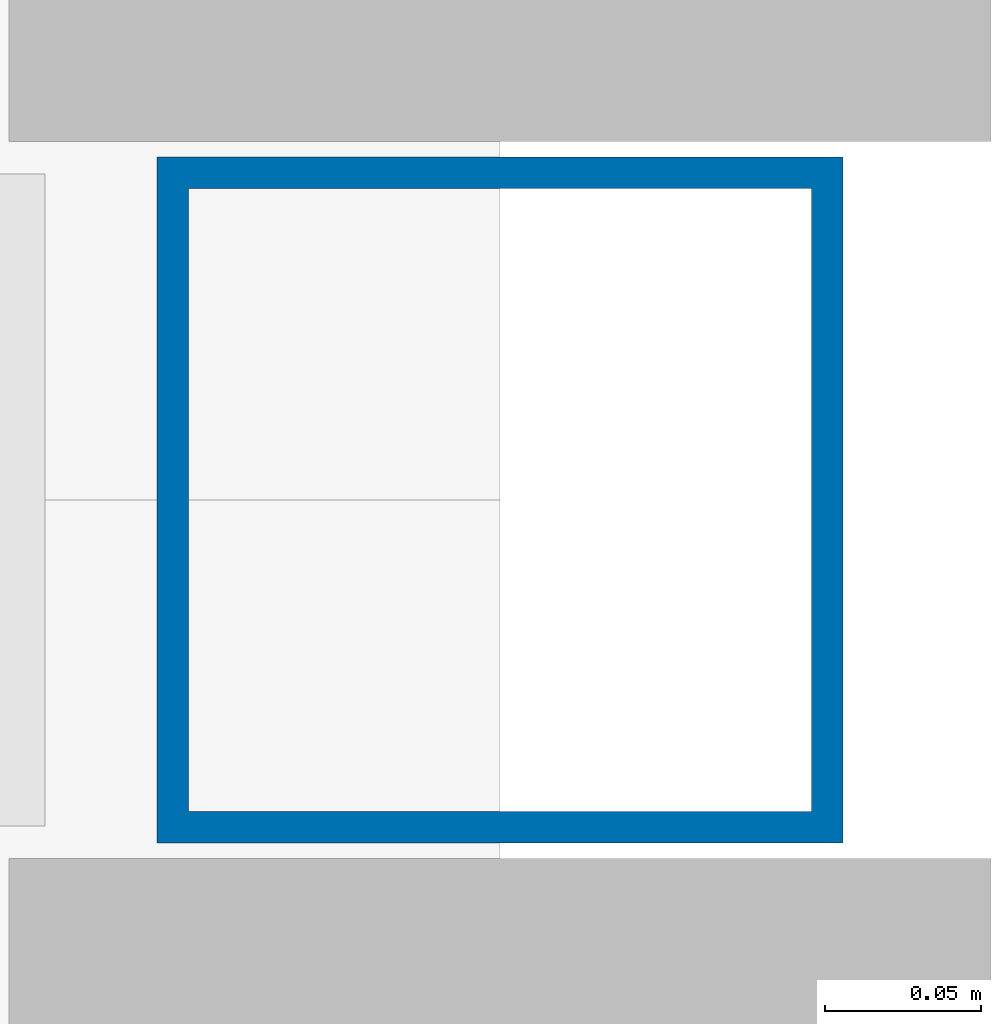
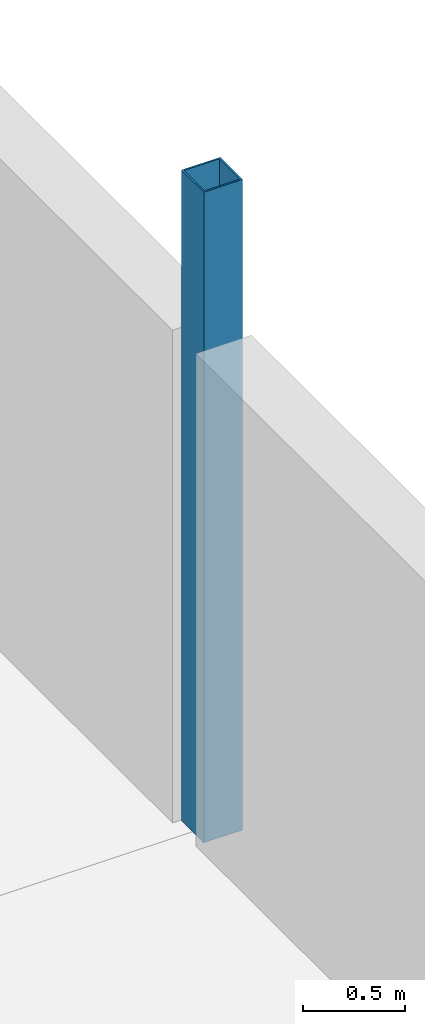
# One storey, part 15 of 55: 1 column.
"""IFC4 building model written with IfcOpenShell, lengths in metres."""

from ifc_helpers import new_model, si_unit, direction, frame, origin, origin_2d, place, context, subcontext, project, spatial, hollow_rectangle, extrude, material, material_profile, profile_set, type_object, element, save


model = new_model("IFC4")

# Units and contexts
model_context = context("Model", 3, precision=1e-05, world=origin(), true_north=direction((0.0, 1.0)))
body_context = subcontext(model_context, "Body", "Model", "MODEL_VIEW")
ifc_project = project(units=[si_unit("LENGTHUNIT", "METRE"), si_unit("AREAUNIT", "SQUARE_METRE"), si_unit("VOLUMEUNIT", "CUBIC_METRE"), si_unit("PLANEANGLEUNIT", "RADIAN"), si_unit("MASSUNIT", "GRAM", prefix="KILO")], contexts=[model_context])

# Site, building, storey
site_placement = place(None, origin())
site = spatial("IfcSite", under=ifc_project, at=site_placement, CompositionType="ELEMENT")
building_placement = place(site_placement, origin())
building = spatial("IfcBuilding", under=site, at=building_placement, Name="Kisiwana Market Hall", CompositionType="ELEMENT")
storey_placement = place(building_placement, frame((0.0, 0.0, 37.800048828125)))
storey = spatial("IfcBuildingStorey", under=building, at=storey_placement, Name="L08", CompositionType="ELEMENT", Elevation=37.800048828125)

# Column
ifc_material = material(Name="Steel S355", Category="steel")
ifc_material_profile = material_profile(ifc_material, hollow_rectangle(XDim=0.219970703125, YDim=0.219970703125, WallThickness=0.010009765625, at=origin_2d()), Name="SHS 220x220x10")
ifc_profile_set = profile_set([ifc_material_profile], Name="Steel S355")
column_type = type_object("IfcColumnType", Name="COL-STL-SHS220", PredefinedType="COLUMN", material=ifc_profile_set)
column_placement = place(storey_placement, frame((198.0, 60.0, 0.0), z_axis=(0.0, 0.0, 1.0), x_axis=(1.0, 0.0, 0.0)))
element("IfcColumn", 1, at=column_placement, inside=storey, type_object=column_type, Name="Column H/23 (L08) C-1202", PredefinedType="COLUMN", context=body_context, shape_type="SweptSolid", body=[
    extrude(hollow_rectangle(XDim=0.219970703125, YDim=0.219970703125, WallThickness=0.010009765625, at=origin_2d()), origin(), (0.0, 0.0, 1.0), 3.89990234375),
])

save(model, "model.ifc")
